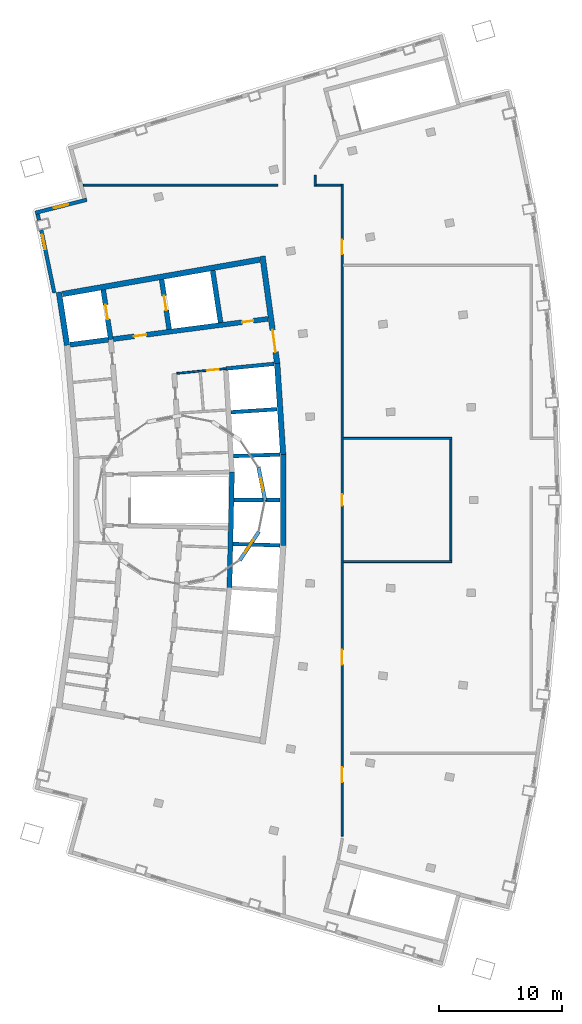
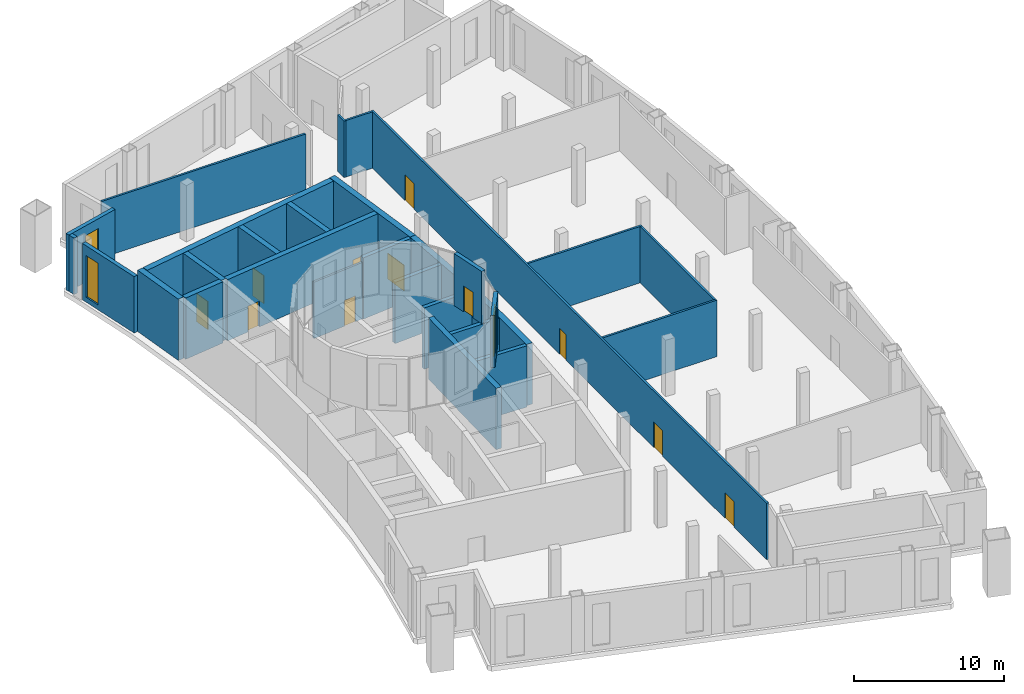
# One storey, part 6 of 9: 29 walls, 11 doors, 3 windows, 14 openings.
"""IFC4 building model written with IfcOpenShell, lengths in metres."""

from ifc_helpers import new_model, si_unit, direction, frame, frame_2d, origin, place, context, subcontext, project, spatial, rectangle, extrude, material, layer, layer_set, type_object, element, fill, save


model = new_model("IFC4")

# Units and contexts
model_context = context("Model", 3, precision=1e-05, world=origin(), true_north=direction((0.0, 1.0)))
body_context = subcontext(model_context, "Body", "Model", "MODEL_VIEW")
ifc_project = project(units=[si_unit("LENGTHUNIT", "METRE"), si_unit("AREAUNIT", "SQUARE_METRE"), si_unit("VOLUMEUNIT", "CUBIC_METRE"), si_unit("PLANEANGLEUNIT", "RADIAN"), si_unit("MASSUNIT", "GRAM", prefix="KILO")], contexts=[model_context])

# Site, building, storey
site_placement = place(None, origin())
site = spatial("IfcSite", under=ifc_project, at=site_placement, CompositionType="ELEMENT")
building_placement = place(site_placement, origin())
building = spatial("IfcBuilding", under=site, at=building_placement, Name="Alderwake Tower", CompositionType="ELEMENT")
storey_placement = place(building_placement, frame((0.0, 0.0, 310.0)))
storey = spatial("IfcBuildingStorey", under=building, at=storey_placement, Name="L75", CompositionType="ELEMENT", Elevation=310.0)

# Wall, opening, door
ifc_material_1 = material(Name="Gypsum shaft wall system, rated")
ifc_layer_1 = layer(ifc_material_1, 0.14990234375)
ifc_layer_set_1 = layer_set([ifc_layer_1], Name="Core room partition 150")
wall_type_1 = type_object("IfcWallType", Name="Core room partition 150", PredefinedType="PARTITIONING", material=ifc_layer_set_1)
wall_1_placement = place(storey_placement, frame((28.780517578125, 71.644287109375, 0.0), z_axis=(0.0, 0.0, 1.0), x_axis=(-0.995250000627, -0.097352125046, 0.0)))
wall_1 = element("IfcWall", 1, at=wall_1_placement, inside=storey, type_object=wall_type_1, Name="CW/L75/PR+102_+86", PredefinedType="PARTITIONING", context=body_context, shape_type="SweptSolid", body=[
    extrude(rectangle(XDim=4.0, YDim=0.14990234375, at=frame_2d((2.0, 0.0))), origin(), (0.0, 0.0, 1.0), 4.60009765625),
])
opening_1_placement = place(wall_1_placement, frame((0.60009765625, 0.0, 0.0)))
opening_1 = element("IfcOpeningElement", 2, at=opening_1_placement, cuts=wall_1, Name="Opening C022", PredefinedType="OPENING", context=body_context, shape_type="SweptSolid", body=[
    extrude(rectangle(XDim=0.89990234375, YDim=2.10009765625, at=frame_2d((0.449951171875, 1.050048828125))), frame((0.0, 0.0849609375, 0.0), z_axis=(0.0, -1.0, 0.0), x_axis=(1.0, 0.0, 0.0)), (0.0, 0.0, 1.0), 0.169921875),
])
ifc_material_2 = material(Name="Painted steel leaf", Category="steel")
door_type_1 = type_object("IfcDoorType", Name="Core room door 900", OperationType="SINGLE_SWING_LEFT", PredefinedType="DOOR", material=ifc_material_2)
door_1_placement = place(opening_1_placement, origin())
door_1 = element("IfcDoor", 3, at=door_1_placement, inside=storey, type_object=door_type_1, Name="Room door", OperationType="SINGLE_SWING_RIGHT", OverallHeight=2.10009765625, OverallWidth=0.89990234375, PredefinedType="DOOR", context=body_context, shape_type="SweptSolid", body=[
    extrude(rectangle(XDim=0.89990234375, YDim=2.10009765625, at=frame_2d((0.449951171875, 1.050048828125))), frame((0.0, 0.02490234375, 0.0), z_axis=(0.0, -1.0, 0.0), x_axis=(1.0, 0.0, 0.0)), (0.0, 0.0, 1.0), 0.050048828125),
])
fill(opening_1, door_1)

# Walls
ifc_material_3 = material(Name="Concrete C70/85", Category="concrete")
ifc_layer_2 = layer(ifc_material_3, 0.449951171875)
ifc_layer_set_2 = layer_set([ifc_layer_2], Name="Core wall outer 450 C70-85")
wall_type_2 = type_object("IfcWallType", Name="Core wall outer 450 C70-85", PredefinedType="SHEAR", material=ifc_layer_set_2)
wall_2_placement = place(storey_placement, frame((15.909423828125, 73.535888671875, 0.0), z_axis=(0.0, 0.0, 1.0), x_axis=(-0.151913962362, 0.988393721166, 0.0)))
element("IfcWall", 4, at=wall_2_placement, inside=storey, type_object=wall_type_2, Name="Core wall CW.025", PredefinedType="SHEAR", context=body_context, shape_type="SweptSolid", body=[
    extrude(rectangle(XDim=4.355224609375, YDim=0.449951171875, at=frame_2d((2.177734375, 0.0))), origin(), (0.0, 0.0, 1.0), 5.0),
])
wall_3_placement = place(storey_placement, frame((33.4150390625, 57.30322265625, 0.0), z_axis=(0.0, 0.0, 1.0), x_axis=(0.0, 1.0, 0.0)))
element("IfcWall", 5, at=wall_3_placement, inside=storey, type_object=wall_type_2, Name="Core wall CW.023", PredefinedType="SHEAR", context=body_context, shape_type="SweptSolid", body=[
    extrude(rectangle(XDim=7.3935546875, YDim=0.449951171875, at=frame_2d((3.69677734375, 0.0))), origin(), (0.0, 0.0, 1.0), 5.0),
])
wall_4_placement = place(storey_placement, frame((33.41552734375, 64.680908203125, 0.0), z_axis=(0.0, 0.0, 1.0), x_axis=(-0.064980500916, 0.997886533881, 0.0)))
element("IfcWall", 6, at=wall_4_placement, inside=storey, type_object=wall_type_2, Name="Core wall CW.020", PredefinedType="SHEAR", context=body_context, shape_type="SweptSolid", body=[
    extrude(rectangle(XDim=7.39404296875, YDim=0.449951171875, at=frame_2d((3.697021484375, 0.0))), origin(), (0.0, 0.0, 1.0), 5.0),
])

# Wall, opening, door
wall_5_placement = place(storey_placement, frame((31.74169921875, 80.7568359375, 0.0), z_axis=(0.0, 0.0, 1.0), x_axis=(0.135866240661, -0.99072718982, 0.0)))
wall_5 = element("IfcWall", 7, at=wall_5_placement, inside=storey, type_object=wall_type_2, Name="Core wall CW.019", PredefinedType="SHEAR", context=body_context, shape_type="SweptSolid", body=[
    extrude(rectangle(XDim=8.7958984375, YDim=0.449951171875, at=frame_2d((4.39794921875, 0.0))), origin(), (0.0, 0.0, 1.0), 5.0),
])
opening_2_placement = place(wall_5_placement, frame((6.043701171875, 0.0, 0.0)))
opening_2 = element("IfcOpeningElement", 8, at=opening_2_placement, cuts=wall_5, Name="Opening C001", PredefinedType="OPENING", context=body_context, shape_type="SweptSolid", body=[
    extrude(rectangle(XDim=1.800048828125, YDim=2.10009765625, at=frame_2d((0.89990234375, 1.050048828125))), frame((0.0, 0.23486328125, 0.0), z_axis=(0.0, -1.0, 0.0), x_axis=(1.0, 0.0, 0.0)), (0.0, 0.0, 1.0), 0.469970703125),
])
ifc_material_4 = material(Name="Steel-framed fire door leaves", Category="steel")
door_type_2 = type_object("IfcDoorType", Name="Core double door 1800 fire-rated", OperationType="DOUBLE_DOOR_SINGLE_SWING", PredefinedType="DOOR", material=ifc_material_4)
door_2_placement = place(opening_2_placement, origin())
door_2 = element("IfcDoor", 9, at=door_2_placement, inside=storey, type_object=door_type_2, Name="Lobby double door", OperationType="DOUBLE_DOOR_SINGLE_SWING", OverallHeight=2.10009765625, OverallWidth=1.800048828125, PredefinedType="DOOR", context=body_context, shape_type="SweptSolid", body=[
    extrude(rectangle(XDim=1.800048828125, YDim=2.10009765625, at=frame_2d((0.89990234375, 1.050048828125))), frame((0.0, 0.02490234375, 0.0), z_axis=(0.0, -1.0, 0.0), x_axis=(1.0, 0.0, 0.0)), (0.0, 0.0, 1.0), 0.050048828125),
])
fill(opening_2, door_2)

# Walls
wall_6_placement = place(storey_placement, frame((15.530517578125, 77.6787109375, 0.0), z_axis=(0.0, 0.0, 1.0), x_axis=(0.985099076065, 0.171987820311, 0.0)))
element("IfcWall", 10, at=wall_6_placement, inside=storey, type_object=wall_type_2, Name="Core wall CW.056", PredefinedType="SHEAR", context=body_context, shape_type="SweptSolid", body=[
    extrude(rectangle(XDim=16.235107421875, YDim=0.449951171875, at=frame_2d((8.11767578125, 0.0))), origin(), (0.0, 0.0, 1.0), 5.0),
])
ifc_material_5 = material(Name="Concrete C70/85", Category="concrete")
ifc_layer_3 = layer(ifc_material_5, 0.300048828125)
ifc_layer_set_3 = layer_set([ifc_layer_3], Name="Core wall shaft 300 C70-85")
wall_type_3 = type_object("IfcWallType", Name="Core wall shaft 300 C70-85", PredefinedType="SHEAR", material=ifc_layer_set_3)
wall_7_placement = place(storey_placement, frame((29.347412109375, 57.443603515625, 0.0), z_axis=(0.0, 0.0, 1.0), x_axis=(0.999471295141, -0.032513538546, 0.0)))
element("IfcWall", 11, at=wall_7_placement, inside=storey, type_object=wall_type_3, Name="Core wall CW.075", PredefinedType="SHEAR", context=body_context, shape_type="SweptSolid", body=[
    extrude(rectangle(XDim=3.814453125, YDim=0.300048828125, at=frame_2d((1.9072265625, 0.0))), origin(), (0.0, 0.0, 1.0), 5.0),
])
wall_8_placement = place(storey_placement, frame((29.426025390625, 61.0, 0.0), z_axis=(0.0, 0.0, 1.0), x_axis=(1.0, 0.0, 0.0)))
element("IfcWall", 12, at=wall_8_placement, inside=storey, type_object=wall_type_3, Name="Core wall CW.048", PredefinedType="SHEAR", context=body_context, shape_type="SweptSolid", body=[
    extrude(rectangle(XDim=3.73388671875, YDim=0.300048828125, at=frame_2d((1.866943359375, 0.0))), origin(), (0.0, 0.0, 1.0), 5.0),
])
wall_9_placement = place(storey_placement, frame((29.401611328125, 64.558349609375, 0.0), z_axis=(0.0, 0.0, 1.0), x_axis=(0.999472935712, 0.032463067939, 0.0)))
element("IfcWall", 13, at=wall_9_placement, inside=storey, type_object=wall_type_3, Name="Core wall CW.058", PredefinedType="SHEAR", context=body_context, shape_type="SweptSolid", body=[
    extrude(rectangle(XDim=3.76025390625, YDim=0.300048828125, at=frame_2d((1.880126953125, 0.0))), origin(), (0.0, 0.0, 1.0), 5.0),
])
wall_10_placement = place(storey_placement, frame((29.193603515625, 68.110595703125, 0.0), z_axis=(0.0, 0.0, 1.0), x_axis=(0.997887205292, 0.064970189432, 0.0)))
element("IfcWall", 14, at=wall_10_placement, inside=storey, type_object=wall_type_3, Name="Core wall CW.061", PredefinedType="SHEAR", context=body_context, shape_type="SweptSolid", body=[
    extrude(rectangle(XDim=3.735107421875, YDim=0.300048828125, at=frame_2d((1.86767578125, 0.0))), origin(), (0.0, 0.0, 1.0), 5.0),
])
wall_11_placement = place(storey_placement, frame((28.780517578125, 71.644287109375, 0.0), z_axis=(0.0, 0.0, 1.0), x_axis=(0.995244048052, 0.097412960207, 0.0)))
element("IfcWall", 15, at=wall_11_placement, inside=storey, type_object=wall_type_3, Name="Core wall CW.049", PredefinedType="SHEAR", context=body_context, shape_type="SweptSolid", body=[
    extrude(rectangle(XDim=3.919677734375, YDim=0.300048828125, at=frame_2d((1.9599609375, 0.0))), origin(), (0.0, 0.0, 1.0), 5.0),
])

# Wall, opening, door
ifc_material_6 = material(Name="Concrete C70/85", Category="concrete")
ifc_layer_4 = layer(ifc_material_6, 0.39990234375)
ifc_layer_set_4 = layer_set([ifc_layer_4], Name="Core wall spine 400 C70-85")
wall_type_4 = type_object("IfcWallType", Name="Core wall spine 400 C70-85", PredefinedType="SHEAR", material=ifc_layer_set_4)
wall_12_placement = place(storey_placement, frame((19.4541015625, 74.00048828125, 0.0), z_axis=(0.0, 0.0, 1.0), x_axis=(-0.149723541031, 0.988727900517, 0.0)))
wall_12 = element("IfcWall", 16, at=wall_12_placement, inside=storey, type_object=wall_type_4, Name="Core wall CW.030", PredefinedType="SHEAR", context=body_context, shape_type="SweptSolid", body=[
    extrude(rectangle(XDim=4.065185546875, YDim=0.39990234375, at=frame_2d((2.03271484375, 0.0))), origin(), (0.0, 0.0, 1.0), 5.0),
])
opening_3_placement = place(wall_12_placement, frame((1.6611328125, 0.0, 0.0)))
opening_3 = element("IfcOpeningElement", 17, at=opening_3_placement, cuts=wall_12, Name="Opening LD-FF1", PredefinedType="OPENING", context=body_context, shape_type="SweptSolid", body=[
    extrude(rectangle(XDim=1.199951171875, YDim=2.300048828125, at=frame_2d((0.60009765625, 1.14990234375))), frame((0.0, 0.2099609375, 0.0), z_axis=(0.0, -1.0, 0.0), x_axis=(1.0, 0.0, 0.0)), (0.0, 0.0, 1.0), 0.419921875),
])
ifc_material_7 = material(Name="Stainless steel sliding leaf", Category="steel")
door_type_3 = type_object("IfcDoorType", Name="Lift landing door 1200", OperationType="SLIDING_TO_LEFT", PredefinedType="DOOR", material=ifc_material_7)
door_3_placement = place(opening_3_placement, origin())
door_3 = element("IfcDoor", 18, at=door_3_placement, inside=storey, type_object=door_type_3, Name="Lift landing door FF1", OperationType="SLIDING_TO_LEFT", OverallHeight=2.300048828125, OverallWidth=1.199951171875, PredefinedType="DOOR", context=body_context, shape_type="SweptSolid", body=[
    extrude(rectangle(XDim=1.199951171875, YDim=2.300048828125, at=frame_2d((0.60009765625, 1.14990234375))), frame((0.0, 0.02490234375, 0.0), z_axis=(0.0, -1.0, 0.0), x_axis=(1.0, 0.0, 0.0)), (0.0, 0.0, 1.0), 0.050048828125),
])
fill(opening_3, door_3)

wall_13_placement = place(storey_placement, frame((24.186279296875, 74.82861328125, 0.0), z_axis=(0.0, 0.0, 1.0), x_axis=(-0.150737431454, 0.988573834753, 0.0)))
wall_13 = element("IfcWall", 19, at=wall_13_placement, inside=storey, type_object=wall_type_4, Name="Core wall CW.044", PredefinedType="SHEAR", context=body_context, shape_type="SweptSolid", body=[
    extrude(rectangle(XDim=4.073486328125, YDim=0.39990234375, at=frame_2d((2.03662109375, 0.0))), origin(), (0.0, 0.0, 1.0), 5.0),
])
opening_4_placement = place(wall_13_placement, frame((1.561767578125, 0.0, 0.0)))
opening_4 = element("IfcOpeningElement", 20, at=opening_4_placement, cuts=wall_13, Name="Opening LD-FF2", PredefinedType="OPENING", context=body_context, shape_type="SweptSolid", body=[
    extrude(rectangle(XDim=1.199951171875, YDim=2.300048828125, at=frame_2d((0.60009765625, 1.14990234375))), frame((0.0, 0.2099609375, 0.0), z_axis=(0.0, -1.0, 0.0), x_axis=(1.0, 0.0, 0.0)), (0.0, 0.0, 1.0), 0.419921875),
])
door_4_placement = place(opening_4_placement, origin())
door_4 = element("IfcDoor", 21, at=door_4_placement, inside=storey, type_object=door_type_3, Name="Lift landing door FF2", OperationType="SLIDING_TO_LEFT", OverallHeight=2.300048828125, OverallWidth=1.199951171875, PredefinedType="DOOR", context=body_context, shape_type="SweptSolid", body=[
    extrude(rectangle(XDim=1.199951171875, YDim=2.300048828125, at=frame_2d((0.60009765625, 1.14990234375))), frame((0.0, 0.02490234375, 0.0), z_axis=(0.0, -1.0, 0.0), x_axis=(1.0, 0.0, 0.0)), (0.0, 0.0, 1.0), 0.050048828125),
])
fill(opening_4, door_4)

# Walls
wall_14_placement = place(storey_placement, frame((29.06884765625, 53.889404296875, 0.0), z_axis=(0.0, 0.0, 1.0), x_axis=(0.022115148322, 0.9997554302, 0.0)))
element("IfcWall", 22, at=wall_14_placement, inside=storey, type_object=wall_type_4, Name="Core wall CW.008", PredefinedType="SHEAR", context=body_context, shape_type="SweptSolid", body=[
    extrude(rectangle(XDim=9.39453125, YDim=0.39990234375, at=frame_2d((4.697265625, 0.0))), origin(), (0.0, 0.0, 1.0), 5.0),
])
wall_15_placement = place(storey_placement, frame((28.350830078125, 75.373291015625, 0.0), z_axis=(0.0, 0.0, 1.0), x_axis=(-0.150821709432, 0.988560980397, 0.0)))
element("IfcWall", 23, at=wall_15_placement, inside=storey, type_object=wall_type_4, Name="Core wall CW.001", PredefinedType="SHEAR", context=body_context, shape_type="SweptSolid", body=[
    extrude(rectangle(XDim=4.26220703125, YDim=0.39990234375, at=frame_2d((2.131103515625, 0.0))), origin(), (0.0, 0.0, 1.0), 5.0),
])
wall_16_placement = place(storey_placement, frame((16.1611328125, 73.5771484375, 0.0), z_axis=(0.0, 0.0, 1.0), x_axis=(0.991556277718, 0.129677091727, 0.0)))
element("IfcWall", 24, at=wall_16_placement, inside=storey, type_object=wall_type_4, Name="Core wall CW.051", PredefinedType="SHEAR", context=body_context, shape_type="SweptSolid", body=[
    extrude(rectangle(XDim=3.11962890625, YDim=0.39990234375, at=frame_2d((1.559814453125, 0.0))), origin(), (0.0, 0.0, 1.0), 5.0),
])

# Wall, openings, doors
wall_17_placement = place(storey_placement, frame((32.181640625, 75.672607421875, 0.0), z_axis=(0.0, 0.0, 1.0), x_axis=(-0.991554022973, -0.129694331123, 0.0)))
wall_17 = element("IfcWall", 25, at=wall_17_placement, inside=storey, type_object=wall_type_4, Name="Core wall CW.052", PredefinedType="SHEAR", context=body_context, shape_type="SweptSolid", body=[
    extrude(rectangle(XDim=12.63671875, YDim=0.39990234375, at=frame_2d((6.318359375, 0.0))), origin(), (0.0, 0.0, 1.0), 5.0),
])
opening_5_placement = place(wall_17_placement, frame((9.93701171875, 0.0, 0.0)))
opening_5 = element("IfcOpeningElement", 26, at=opening_5_placement, cuts=wall_17, Name="Opening C002", PredefinedType="OPENING", context=body_context, shape_type="SweptSolid", body=[
    extrude(rectangle(XDim=1.0, YDim=2.10009765625, at=frame_2d((0.5, 1.050048828125))), frame((0.0, 0.2099609375, 0.0), z_axis=(0.0, -1.0, 0.0), x_axis=(1.0, 0.0, 0.0)), (0.0, 0.0, 1.0), 0.419921875),
])
opening_6_placement = place(wall_17_placement, frame((1.18701171875, 0.0, 0.0)))
opening_6 = element("IfcOpeningElement", 27, at=opening_6_placement, cuts=wall_17, Name="Opening C020", PredefinedType="OPENING", context=body_context, shape_type="SweptSolid", body=[
    extrude(rectangle(XDim=0.89990234375, YDim=2.10009765625, at=frame_2d((0.449951171875, 1.050048828125))), frame((0.0, 0.2099609375, 0.0), z_axis=(0.0, -1.0, 0.0), x_axis=(1.0, 0.0, 0.0)), (0.0, 0.0, 1.0), 0.419921875),
])
door_5_placement = place(opening_6_placement, origin())
door_5 = element("IfcDoor", 28, at=door_5_placement, inside=storey, type_object=door_type_1, Name="Room door", OperationType="SINGLE_SWING_LEFT", OverallHeight=2.10009765625, OverallWidth=0.89990234375, PredefinedType="DOOR", context=body_context, shape_type="SweptSolid", body=[
    extrude(rectangle(XDim=0.89990234375, YDim=2.10009765625, at=frame_2d((0.449951171875, 1.050048828125))), frame((0.0, 0.02490234375, 0.0), z_axis=(0.0, -1.0, 0.0), x_axis=(1.0, 0.0, 0.0)), (0.0, 0.0, 1.0), 0.050048828125),
])
fill(opening_6, door_5)
ifc_material_8 = material(Name="Steel-framed fire door leaf", Category="steel")
door_type_4 = type_object("IfcDoorType", Name="Firefighting lobby door 1000 fire-rated", OperationType="SINGLE_SWING_LEFT", PredefinedType="DOOR", material=ifc_material_8)
door_6_placement = place(opening_5_placement, origin())
door_6 = element("IfcDoor", 29, at=door_6_placement, inside=storey, type_object=door_type_4, Name="Firefighting lobby door", OperationType="SINGLE_SWING_RIGHT", OverallHeight=2.10009765625, OverallWidth=1.0, PredefinedType="DOOR", context=body_context, shape_type="SweptSolid", body=[
    extrude(rectangle(XDim=1.0, YDim=2.10009765625, at=frame_2d((0.5, 1.050048828125))), frame((0.0, 0.02490234375, 0.0), z_axis=(0.0, -1.0, 0.0), x_axis=(1.0, 0.0, 0.0)), (0.0, 0.0, 1.0), 0.050048828125),
])
fill(opening_5, door_6)

# Walls
ifc_material_9 = material(Name="Gypsum board on metal studs, rated")
ifc_layer_5 = layer(ifc_material_9, 0.159912109375)
ifc_layer_set_5 = layer_set([ifc_layer_5], Name="Corridor wall 160")
wall_type_5 = type_object("IfcWallType", Name="Corridor wall 160", PredefinedType="PARTITIONING", material=ifc_layer_set_5)
wall_18_placement = place(storey_placement, frame((32.98095703125, 86.4990234375, 0.0), z_axis=(0.0, 0.0, 1.0), x_axis=(-1.0, 0.0, 0.0)))
element("IfcWall", 30, at=wall_18_placement, inside=storey, type_object=wall_type_5, Name="WL/L75/W02", PredefinedType="PARTITIONING", context=body_context, shape_type="SweptSolid", body=[
    extrude(rectangle(XDim=15.7529296875, YDim=0.159912109375, at=frame_2d((7.87646484375, 0.0))), origin(), (0.0, 0.0, 1.0), 4.60009765625),
])
wall_19_placement = place(storey_placement, frame((36.0, 86.4189453125, 0.0), z_axis=(0.0, 0.0, 1.0), x_axis=(0.0, 1.0, 0.0)))
element("IfcWall", 31, at=wall_19_placement, inside=storey, type_object=wall_type_5, Name="WL/L75/W04", PredefinedType="PARTITIONING", context=body_context, shape_type="SweptSolid", body=[
    extrude(rectangle(XDim=0.88916015625, YDim=0.159912109375, at=frame_2d((0.444580078125, 0.0))), origin(), (0.0, 0.0, 1.0), 4.60009765625),
])

# Wall, openings, doors
wall_20_placement = place(storey_placement, frame((38.198974609375, 33.767578125, 0.0), z_axis=(0.0, 0.0, 1.0), x_axis=(0.0, 1.0, 0.0)))
wall_20 = element("IfcWall", 32, at=wall_20_placement, inside=storey, type_object=wall_type_5, Name="WL/L75/W09", PredefinedType="PARTITIONING", context=body_context, shape_type="SweptSolid", body=[
    extrude(rectangle(XDim=52.8115234375, YDim=0.159912109375, at=frame_2d((26.40576171875, 0.0))), origin(), (0.0, 0.0, 1.0), 4.60009765625),
])
opening_7_placement = place(wall_20_placement, frame((4.38232421875, 0.0, 0.0)))
opening_7 = element("IfcOpeningElement", 33, at=opening_7_placement, cuts=wall_20, Name="Opening L75-03", PredefinedType="OPENING", context=body_context, shape_type="SweptSolid", body=[
    extrude(rectangle(XDim=1.199951171875, YDim=2.10009765625, at=frame_2d((0.60009765625, 1.050048828125))), frame((0.0, 0.08984375, 0.0), z_axis=(0.0, -1.0, 0.0), x_axis=(1.0, 0.0, 0.0)), (0.0, 0.0, 1.0), 0.179931640625),
])
opening_8_placement = place(wall_20_placement, frame((47.13232421875, 0.0, 0.0)))
opening_8 = element("IfcOpeningElement", 34, at=opening_8_placement, cuts=wall_20, Name="Opening L75-04", PredefinedType="OPENING", context=body_context, shape_type="SweptSolid", body=[
    extrude(rectangle(XDim=1.199951171875, YDim=2.10009765625, at=frame_2d((0.60009765625, 1.050048828125))), frame((0.0, 0.08984375, 0.0), z_axis=(0.0, -1.0, 0.0), x_axis=(1.0, 0.0, 0.0)), (0.0, 0.0, 1.0), 0.179931640625),
])
opening_9_placement = place(wall_20_placement, frame((26.7822265625, 0.0, 0.0)))
opening_9 = element("IfcOpeningElement", 35, at=opening_9_placement, cuts=wall_20, Name="Opening L75-07", PredefinedType="OPENING", context=body_context, shape_type="SweptSolid", body=[
    extrude(rectangle(XDim=0.89990234375, YDim=2.10009765625, at=frame_2d((0.449951171875, 1.050048828125))), frame((0.0, 0.08984375, 0.0), z_axis=(0.0, -1.0, 0.0), x_axis=(1.0, 0.0, 0.0)), (0.0, 0.0, 1.0), 0.179931640625),
])
opening_10_placement = place(wall_20_placement, frame((13.88232421875, 0.0, 0.0)))
opening_10 = element("IfcOpeningElement", 36, at=opening_10_placement, cuts=wall_20, Name="Opening L75-08", PredefinedType="OPENING", context=body_context, shape_type="SweptSolid", body=[
    extrude(rectangle(XDim=1.199951171875, YDim=2.10009765625, at=frame_2d((0.60009765625, 1.050048828125))), frame((0.0, 0.08984375, 0.0), z_axis=(0.0, -1.0, 0.0), x_axis=(1.0, 0.0, 0.0)), (0.0, 0.0, 1.0), 0.179931640625),
])
ifc_material_10 = material(Name="Steel door leaf in steel frame", Category="steel")
door_type_5 = type_object("IfcDoorType", Name="Plant room door 1200 steel", OperationType="SINGLE_SWING_LEFT", PredefinedType="DOOR", material=ifc_material_10)
door_7_placement = place(opening_7_placement, origin())
door_7 = element("IfcDoor", 37, at=door_7_placement, inside=storey, type_object=door_type_5, Name="DR/L75/03", OperationType="SINGLE_SWING_LEFT", OverallHeight=2.10009765625, OverallWidth=1.199951171875, PredefinedType="DOOR", context=body_context, shape_type="SweptSolid", body=[
    extrude(rectangle(XDim=1.199951171875, YDim=2.10009765625, at=frame_2d((0.60009765625, 1.050048828125))), frame((0.0, 0.02490234375, 0.0), z_axis=(0.0, -1.0, 0.0), x_axis=(1.0, 0.0, 0.0)), (0.0, 0.0, 1.0), 0.050048828125),
])
fill(opening_7, door_7)
door_8_placement = place(opening_8_placement, origin())
door_8 = element("IfcDoor", 38, at=door_8_placement, inside=storey, type_object=door_type_5, Name="DR/L75/04", OperationType="SINGLE_SWING_LEFT", OverallHeight=2.10009765625, OverallWidth=1.199951171875, PredefinedType="DOOR", context=body_context, shape_type="SweptSolid", body=[
    extrude(rectangle(XDim=1.199951171875, YDim=2.10009765625, at=frame_2d((0.60009765625, 1.050048828125))), frame((0.0, 0.02490234375, 0.0), z_axis=(0.0, -1.0, 0.0), x_axis=(1.0, 0.0, 0.0)), (0.0, 0.0, 1.0), 0.050048828125),
])
fill(opening_8, door_8)
door_9_placement = place(opening_10_placement, origin())
door_9 = element("IfcDoor", 39, at=door_9_placement, inside=storey, type_object=door_type_5, Name="DR/L75/08", OperationType="SINGLE_SWING_LEFT", OverallHeight=2.10009765625, OverallWidth=1.199951171875, PredefinedType="DOOR", context=body_context, shape_type="SweptSolid", body=[
    extrude(rectangle(XDim=1.199951171875, YDim=2.10009765625, at=frame_2d((0.60009765625, 1.050048828125))), frame((0.0, 0.02490234375, 0.0), z_axis=(0.0, -1.0, 0.0), x_axis=(1.0, 0.0, 0.0)), (0.0, 0.0, 1.0), 0.050048828125),
])
fill(opening_10, door_9)
ifc_material_11 = material(Name="Painted timber leaf", Category="wood")
door_type_6 = type_object("IfcDoorType", Name="Room door 900", OperationType="SINGLE_SWING_LEFT", PredefinedType="DOOR", material=ifc_material_11)
door_10_placement = place(opening_9_placement, origin())
door_10 = element("IfcDoor", 40, at=door_10_placement, inside=storey, type_object=door_type_6, Name="DR/L75/07", OperationType="SINGLE_SWING_LEFT", OverallHeight=2.10009765625, OverallWidth=0.89990234375, PredefinedType="DOOR", context=body_context, shape_type="SweptSolid", body=[
    extrude(rectangle(XDim=0.89990234375, YDim=2.10009765625, at=frame_2d((0.449951171875, 1.050048828125))), frame((0.0, 0.02490234375, 0.0), z_axis=(0.0, -1.0, 0.0), x_axis=(1.0, 0.0, 0.0)), (0.0, 0.0, 1.0), 0.050048828125),
])
fill(opening_9, door_10)

# Walls
wall_21_placement = place(storey_placement, frame((38.279052734375, 66.0, 0.0), z_axis=(0.0, 0.0, 1.0), x_axis=(1.0, 0.0, 0.0)))
element("IfcWall", 41, at=wall_21_placement, inside=storey, type_object=wall_type_5, Name="WL/L75/W11", PredefinedType="PARTITIONING", context=body_context, shape_type="SweptSolid", body=[
    extrude(rectangle(XDim=8.802001953125, YDim=0.159912109375, at=frame_2d((4.40087890625, 0.0))), origin(), (0.0, 0.0, 1.0), 4.60009765625),
])
wall_22_placement = place(storey_placement, frame((38.118896484375, 86.4990234375, 0.0), z_axis=(0.0, 0.0, 1.0), x_axis=(-1.0, 0.0, 0.0)))
element("IfcWall", 42, at=wall_22_placement, inside=storey, type_object=wall_type_5, Name="WL/L75/W12", PredefinedType="PARTITIONING", context=body_context, shape_type="SweptSolid", body=[
    extrude(rectangle(XDim=2.038818359375, YDim=0.159912109375, at=frame_2d((1.01953125, 0.0))), origin(), (0.0, 0.0, 1.0), 4.60009765625),
])
wall_23_placement = place(storey_placement, frame((47.0810546875, 56.0009765625, 0.0), z_axis=(0.0, 0.0, 1.0), x_axis=(-1.0, 0.0, 0.0)))
element("IfcWall", 43, at=wall_23_placement, inside=storey, type_object=wall_type_5, Name="WL/L75/W13", PredefinedType="PARTITIONING", context=body_context, shape_type="SweptSolid", body=[
    extrude(rectangle(XDim=8.802001953125, YDim=0.159912109375, at=frame_2d((4.40087890625, 0.0))), origin(), (0.0, 0.0, 1.0), 4.60009765625),
])
wall_24_placement = place(storey_placement, frame((47.0009765625, 65.919921875, 0.0), z_axis=(0.0, 0.0, 1.0), x_axis=(0.0, -1.0, 0.0)))
element("IfcWall", 44, at=wall_24_placement, inside=storey, type_object=wall_type_5, Name="WL/L75/W14", PredefinedType="PARTITIONING", context=body_context, shape_type="SweptSolid", body=[
    extrude(rectangle(XDim=9.8388671875, YDim=0.159912109375, at=frame_2d((4.91943359375, 0.0))), origin(), (0.0, 0.0, 1.0), 4.60009765625),
])

# Wall, opening, window
ifc_material_12 = material(Name="Bronze metal cladding on lightweight framing")
ifc_layer_6 = layer(ifc_material_12, 0.300048828125)
ifc_layer_set_6 = layer_set([ifc_layer_6], Name="External wall EW3 plant enclosure")
wall_type_6 = type_object("IfcWallType", Name="External wall EW3 plant enclosure", PredefinedType="SOLIDWALL", material=ifc_layer_set_6)
wall_25_placement = place(storey_placement, frame((17.51611328125, 85.32275390625, 0.0), z_axis=(0.0, 0.0, 1.0), x_axis=(-0.969417740682, -0.245416470617, 0.0)))
wall_25 = element("IfcWall", 45, at=wall_25_placement, inside=storey, type_object=wall_type_6, Name="External wall 57", PredefinedType="SOLIDWALL", context=body_context, shape_type="SweptSolid", body=[
    extrude(rectangle(XDim=4.305419921875, YDim=0.300048828125, at=frame_2d((2.15283203125, 0.0))), origin(), (0.0, 0.0, 1.0), 4.60009765625),
])
opening_11_placement = place(wall_25_placement, frame((1.552734375, 0.0, 0.39990234375)))
opening_11 = element("IfcOpeningElement", 46, at=opening_11_placement, cuts=wall_25, Name="Opening LV2", PredefinedType="OPENING", context=body_context, shape_type="SweptSolid", body=[
    extrude(rectangle(XDim=1.199951171875, YDim=3.39990234375, at=frame_2d((0.60009765625, 1.699951171875))), frame((0.0, 0.159912109375, 0.0), z_axis=(0.0, -1.0, 0.0), x_axis=(1.0, 0.0, 0.0)), (0.0, 0.0, 1.0), 0.320068359375),
])
ifc_material_13 = material(Name="Bronze anodised aluminium louvre", Category="aluminium")
window_type = type_object("IfcWindowType", Name="Louvre LV2 crown drum", PartitioningType="SINGLE_PANEL", PredefinedType="USERDEFINED", material=ifc_material_13)
window_1_placement = place(opening_11_placement, origin())
window_1 = element("IfcWindow", 47, at=window_1_placement, inside=storey, type_object=window_type, Name="Louvre LV2 crown drum", ObjectType="LOUVRE", OverallHeight=3.39990234375, OverallWidth=1.199951171875, PartitioningType="SINGLE_PANEL", PredefinedType="USERDEFINED", context=body_context, shape_type="SweptSolid", body=[
    extrude(rectangle(XDim=1.199951171875, YDim=3.39990234375, at=frame_2d((0.60009765625, 1.699951171875))), frame((0.0, 0.030029296875, 0.0), z_axis=(0.0, -1.0, 0.0), x_axis=(1.0, 0.0, 0.0)), (0.0, 0.0, 1.0), 0.06005859375),
])
fill(opening_11, window_1)

# Wall
wall_26_placement = place(storey_placement, frame((13.523193359375, 84.1572265625, 0.0), z_axis=(0.0, 0.0, 1.0), x_axis=(0.238653145818, -0.971104873838, 0.0)))
element("IfcWall", 48, at=wall_26_placement, inside=storey, type_object=wall_type_6, Name="External wall 59", PredefinedType="SOLIDWALL", context=body_context, shape_type="SweptSolid", body=[
    extrude(rectangle(XDim=0.50341796875, YDim=0.300048828125, at=frame_2d((0.251708984375, 0.0))), origin(), (0.0, 0.0, 1.0), 4.60009765625),
])

# Wall, opening, window
wall_27_placement = place(storey_placement, frame((13.821533203125, 82.879638671875, 0.0), z_axis=(0.0, 0.0, 1.0), x_axis=(0.202760516883, -0.979228355795, 0.0)))
wall_27 = element("IfcWall", 49, at=wall_27_placement, inside=storey, type_object=wall_type_6, Name="External wall 61", PredefinedType="SOLIDWALL", context=body_context, shape_type="SweptSolid", body=[
    extrude(rectangle(XDim=5.211181640625, YDim=0.300048828125, at=frame_2d((2.60546875, 0.0))), origin(), (0.0, 0.0, 1.0), 4.60009765625),
])
opening_12_placement = place(wall_27_placement, frame((0.39208984375, 0.0, 0.39990234375)))
opening_12 = element("IfcOpeningElement", 50, at=opening_12_placement, cuts=wall_27, Name="Opening LV2", PredefinedType="OPENING", context=body_context, shape_type="SweptSolid", body=[
    extrude(rectangle(XDim=1.199951171875, YDim=3.39990234375, at=frame_2d((0.60009765625, 1.699951171875))), frame((0.0, 0.159912109375, 0.0), z_axis=(0.0, -1.0, 0.0), x_axis=(1.0, 0.0, 0.0)), (0.0, 0.0, 1.0), 0.320068359375),
])
window_2_placement = place(opening_12_placement, origin())
window_2 = element("IfcWindow", 51, at=window_2_placement, inside=storey, type_object=window_type, Name="Louvre LV2 crown drum", ObjectType="LOUVRE", OverallHeight=3.39990234375, OverallWidth=1.199951171875, PartitioningType="SINGLE_PANEL", PredefinedType="USERDEFINED", context=body_context, shape_type="SweptSolid", body=[
    extrude(rectangle(XDim=1.199951171875, YDim=3.39990234375, at=frame_2d((0.60009765625, 1.699951171875))), frame((0.0, 0.030029296875, 0.0), z_axis=(0.0, -1.0, 0.0), x_axis=(1.0, 0.0, 0.0)), (0.0, 0.0, 1.0), 0.06005859375),
])
fill(opening_12, window_2)

# Wall, opening, door
wall_28_placement = place(storey_placement, frame((31.958740234375, 60.94140625, 5.0), z_axis=(0.0, 0.0, 1.0), x_axis=(-0.195073032821, 0.980788719279, 0.0)))
wall_28 = element("IfcWall", 52, at=wall_28_placement, inside=storey, type_object=wall_type_6, Name="External wall 65", PredefinedType="SOLIDWALL", context=body_context, shape_type="SweptSolid", body=[
    extrude(rectangle(XDim=2.791015625, YDim=0.300048828125, at=frame_2d((1.3955078125, 0.0))), origin(), (0.0, 0.0, 1.0), 4.25),
])
opening_13_placement = place(wall_28_placement, frame((0.865478515625, 0.0, 0.0)))
opening_13 = element("IfcOpeningElement", 53, at=opening_13_placement, cuts=wall_28, Name="Opening D01", PredefinedType="OPENING", context=body_context, shape_type="SweptSolid", body=[
    extrude(rectangle(XDim=1.0, YDim=2.10009765625, at=frame_2d((0.5, 1.050048828125))), frame((0.0, 0.159912109375, 0.0), z_axis=(0.0, -1.0, 0.0), x_axis=(1.0, 0.0, 0.0)), (0.0, 0.0, 1.0), 0.320068359375),
])
ifc_material_14 = material(Name="Painted steel door leaf", Category="steel")
door_type_7 = type_object("IfcDoorType", Name="Roof access door RD", OperationType="SINGLE_SWING_LEFT", PredefinedType="DOOR", material=ifc_material_14)
door_11_placement = place(opening_13_placement, origin())
door_11 = element("IfcDoor", 54, at=door_11_placement, inside=storey, type_object=door_type_7, Name="Door D01", OperationType="SINGLE_SWING_LEFT", OverallHeight=2.10009765625, OverallWidth=1.0, PredefinedType="DOOR", context=body_context, shape_type="SweptSolid", body=[
    extrude(rectangle(XDim=1.0, YDim=2.10009765625, at=frame_2d((0.5, 1.050048828125))), frame((0.0, 0.02490234375, 0.0), z_axis=(0.0, -1.0, 0.0), x_axis=(1.0, 0.0, 0.0)), (0.0, 0.0, 1.0), 0.050048828125),
])
fill(opening_13, door_11)

# Wall, opening, window
wall_29_placement = place(storey_placement, frame((29.908447265625, 56.10888671875, 5.0), z_axis=(0.0, 0.0, 1.0), x_axis=(0.555567937721, 0.831471145967, 0.0)))
wall_29 = element("IfcWall", 55, at=wall_29_placement, inside=storey, type_object=wall_type_6, Name="External wall 73", PredefinedType="SOLIDWALL", context=body_context, shape_type="SweptSolid", body=[
    extrude(rectangle(XDim=2.791015625, YDim=0.300048828125, at=frame_2d((1.3955078125, 0.0))), origin(), (0.0, 0.0, 1.0), 4.25),
])
opening_14_placement = place(wall_29_placement, frame((0.765625, 0.0, 0.39990234375)))
opening_14 = element("IfcOpeningElement", 56, at=opening_14_placement, cuts=wall_29, Name="Opening LV2", PredefinedType="OPENING", context=body_context, shape_type="SweptSolid", body=[
    extrude(rectangle(XDim=1.199951171875, YDim=3.39990234375, at=frame_2d((0.60009765625, 1.699951171875))), frame((0.0, 0.159912109375, 0.0), z_axis=(0.0, -1.0, 0.0), x_axis=(1.0, 0.0, 0.0)), (0.0, 0.0, 1.0), 0.320068359375),
])
window_3_placement = place(opening_14_placement, origin())
window_3 = element("IfcWindow", 57, at=window_3_placement, inside=storey, type_object=window_type, Name="Louvre LV2 crown drum", ObjectType="LOUVRE", OverallHeight=3.39990234375, OverallWidth=1.199951171875, PartitioningType="SINGLE_PANEL", PredefinedType="USERDEFINED", context=body_context, shape_type="SweptSolid", body=[
    extrude(rectangle(XDim=1.199951171875, YDim=3.39990234375, at=frame_2d((0.60009765625, 1.699951171875))), frame((0.0, 0.030029296875, 0.0), z_axis=(0.0, -1.0, 0.0), x_axis=(1.0, 0.0, 0.0)), (0.0, 0.0, 1.0), 0.06005859375),
])
fill(opening_14, window_3)

save(model, "model.ifc")
